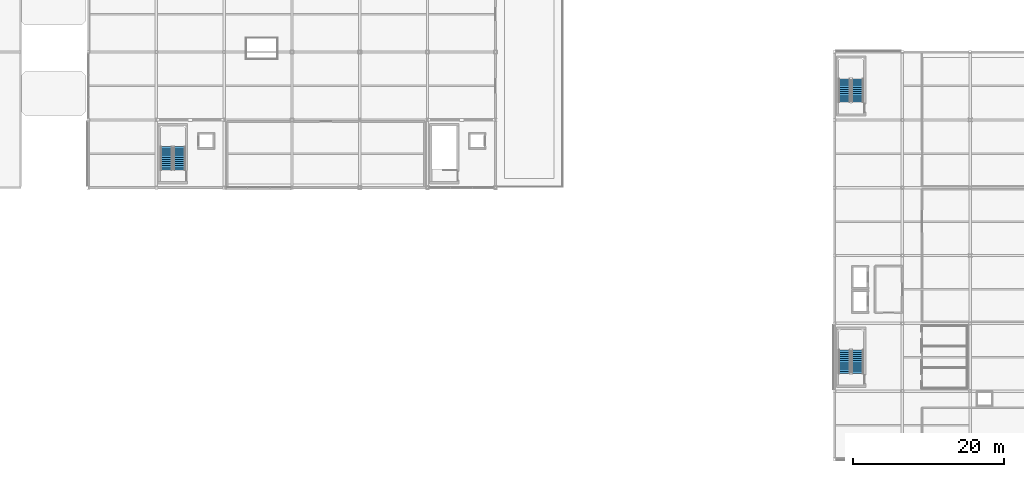
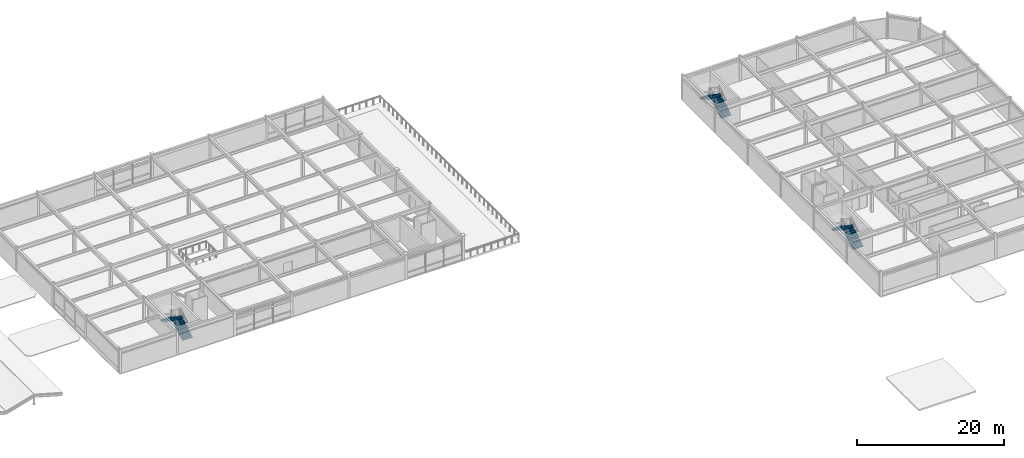
# One storey, part 33 of 40: 6 stair flights, 3 elements without a shape of their own.
"""IFC4 building model written with IfcOpenShell, lengths in metres."""

from ifc_helpers import new_model, si_unit, direction, frame, origin, place, context, subcontext, project, spatial, polyline, outline, extrude, material, type_object, element, aggregate, save


model = new_model("IFC4")

# Units and contexts
model_context = context("Model", 3, precision=1e-05, world=origin(), true_north=direction((0.0, 1.0)))
body_context = subcontext(model_context, "Body", "Model", "MODEL_VIEW")
ifc_project = project(units=[si_unit("LENGTHUNIT", "METRE"), si_unit("AREAUNIT", "SQUARE_METRE"), si_unit("VOLUMEUNIT", "CUBIC_METRE"), si_unit("PLANEANGLEUNIT", "RADIAN"), si_unit("MASSUNIT", "GRAM", prefix="KILO")], contexts=[model_context])

# Site, building, storey
site_placement = place(None, origin())
site = spatial("IfcSite", under=ifc_project, at=site_placement, CompositionType="ELEMENT")
building_placement = place(site_placement, origin())
building = spatial("IfcBuilding", under=site, at=building_placement, Name="Suzunagisa Mobility Hub", CompositionType="ELEMENT")
storey_placement = place(building_placement, frame((0.0, 0.0, 21.89990234375)))
storey = spatial("IfcBuildingStorey", under=building, at=storey_placement, Name="L05", CompositionType="ELEMENT", Elevation=21.89990234375)

# Stair, stair flights
ifc_material = material(Name="Concrete C35/45", Category="concrete")
stair_type_1 = type_object("IfcStairType", Name="Dog-Leg Core Escape Stair ST-07 W1560", PredefinedType="HALF_TURN_STAIR", material=ifc_material)
stair_1_placement = place(storey_placement, origin())
stair_1 = element("IfcStair", 1, at=stair_1_placement, inside=storey, type_object=stair_type_1, Name="L05 Core C3 Escape Stair ST-07", PredefinedType="HALF_TURN_STAIR")
stair_flight_type_1 = type_object("IfcStairFlightType", Name="Dog-Leg Core Stair Flight ST-07-F W1560", PredefinedType="STRAIGHT", material=ifc_material)
stair_flight_1_placement = place(storey_placement, frame((57.06005859375, 82.360107421875, 0.0), z_axis=(0.0, 0.0, 1.0), x_axis=(0.0, 1.0, 0.0)))
stair_flight_1 = element("IfcStairFlight", 2, at=stair_flight_1_placement, type_object=stair_flight_type_1, Name="ST-07 flight 1", NumberOfRisers=12, NumberOfTreads=11, PredefinedType="STRAIGHT", RiserHeight=0.175, TreadLength=0.28, context=body_context, shape_type="SweptSolid", body=[
    extrude(outline(polyline([(0.0, 0.0), (0.0, 0.175048828125), (0.280029296875, 0.175048828125), (0.280029296875, 0.35009765625), (0.56005859375, 0.35009765625), (0.56005859375, 0.52490234375), (0.840087890625, 0.52490234375), (0.840087890625, 0.699951171875), (1.1201171875, 0.699951171875), (1.1201171875, 0.875), (1.39990234375, 0.875), (1.39990234375, 1.050048828125), (1.679931640625, 1.050048828125), (1.679931640625, 1.22509765625), (1.9599609375, 1.22509765625), (1.9599609375, 1.39990234375), (2.239990234375, 1.39990234375), (2.239990234375, 1.574951171875), (2.52001953125, 1.574951171875), (2.52001953125, 1.75), (2.800048828125, 1.75), (2.800048828125, 1.925048828125), (3.080078125, 1.925048828125), (3.080078125, 2.10009765625), (3.080078125, 1.736328125), (0.3017578125, 0.0), (0.0, 0.0)])), frame((0.0, 0.780029296875, 0.0), z_axis=(0.0, -1.0, 0.0), x_axis=(1.0, 0.0, 0.0)), (0.0, 0.0, 1.0), 1.56005859375),
])
stair_flight_2_placement = place(storey_placement, frame((55.340087890625, 85.43994140625, 2.10009765625), z_axis=(0.0, 0.0, 1.0), x_axis=(0.0, -1.0, 0.0)))
stair_flight_2 = element("IfcStairFlight", 3, at=stair_flight_2_placement, type_object=stair_flight_type_1, Name="ST-07 flight 2", NumberOfRisers=12, NumberOfTreads=11, PredefinedType="STRAIGHT", RiserHeight=0.175, TreadLength=0.28, context=body_context, shape_type="SweptSolid", body=[
    extrude(outline(polyline([(0.0, 0.0), (0.0, 0.175048828125), (0.280029296875, 0.175048828125), (0.280029296875, 0.35009765625), (0.56005859375, 0.35009765625), (0.56005859375, 0.52490234375), (0.840087890625, 0.52490234375), (0.840087890625, 0.699951171875), (1.1201171875, 0.699951171875), (1.1201171875, 0.875), (1.39990234375, 0.875), (1.39990234375, 1.050048828125), (1.679931640625, 1.050048828125), (1.679931640625, 1.22509765625), (1.9599609375, 1.22509765625), (1.9599609375, 1.39990234375), (2.239990234375, 1.39990234375), (2.239990234375, 1.574951171875), (2.52001953125, 1.574951171875), (2.52001953125, 1.75), (2.800048828125, 1.75), (2.800048828125, 1.925048828125), (3.080078125, 1.925048828125), (3.080078125, 2.10009765625), (3.080078125, 1.736328125), (0.3017578125, 0.0), (0.0, 0.0)])), frame((0.0, 0.780029296875, 0.0), z_axis=(0.0, -1.0, 0.0), x_axis=(1.0, 0.0, 0.0)), (0.0, 0.0, 1.0), 1.56005859375),
])
aggregate(stair_1, [stair_flight_1, stair_flight_2])

stair_type_2 = type_object("IfcStairType", Name="Dog-Leg Core Escape Stair ST-11 W1560", PredefinedType="HALF_TURN_STAIR", material=ifc_material)
stair_2_placement = place(storey_placement, origin())
stair_2 = element("IfcStair", 4, at=stair_2_placement, inside=storey, type_object=stair_type_2, Name="L05 Core C5 Escape Stair ST-11", PredefinedType="HALF_TURN_STAIR")
stair_flight_type_2 = type_object("IfcStairFlightType", Name="Dog-Leg Core Stair Flight ST-11-F W1560", PredefinedType="STRAIGHT", material=ifc_material)
stair_flight_3_placement = place(storey_placement, frame((147.06005859375, 55.360107421875, 0.0), z_axis=(0.0, 0.0, 1.0), x_axis=(0.0, 1.0, 0.0)))
stair_flight_3 = element("IfcStairFlight", 5, at=stair_flight_3_placement, type_object=stair_flight_type_2, Name="ST-11 flight 1", NumberOfRisers=12, NumberOfTreads=11, PredefinedType="STRAIGHT", RiserHeight=0.175, TreadLength=0.28, context=body_context, shape_type="SweptSolid", body=[
    extrude(outline(polyline([(0.0, 0.0), (0.0, 0.175048828125), (0.280029296875, 0.175048828125), (0.280029296875, 0.35009765625), (0.56005859375, 0.35009765625), (0.56005859375, 0.52490234375), (0.840087890625, 0.52490234375), (0.840087890625, 0.699951171875), (1.1201171875, 0.699951171875), (1.1201171875, 0.875), (1.39990234375, 0.875), (1.39990234375, 1.050048828125), (1.679931640625, 1.050048828125), (1.679931640625, 1.22509765625), (1.9599609375, 1.22509765625), (1.9599609375, 1.39990234375), (2.239990234375, 1.39990234375), (2.239990234375, 1.574951171875), (2.52001953125, 1.574951171875), (2.52001953125, 1.75), (2.800048828125, 1.75), (2.800048828125, 1.925048828125), (3.080078125, 1.925048828125), (3.080078125, 2.10009765625), (3.080078125, 1.736328125), (0.3017578125, 0.0), (0.0, 0.0)])), frame((0.0, 0.780029296875, 0.0), z_axis=(0.0, -1.0, 0.0), x_axis=(1.0, 0.0, 0.0)), (0.0, 0.0, 1.0), 1.56005859375),
])
stair_flight_4_placement = place(storey_placement, frame((145.340087890625, 58.43994140625, 2.10009765625), z_axis=(0.0, 0.0, 1.0), x_axis=(0.0, -1.0, 0.0)))
stair_flight_4 = element("IfcStairFlight", 6, at=stair_flight_4_placement, type_object=stair_flight_type_2, Name="ST-11 flight 2", NumberOfRisers=12, NumberOfTreads=11, PredefinedType="STRAIGHT", RiserHeight=0.175, TreadLength=0.28, context=body_context, shape_type="SweptSolid", body=[
    extrude(outline(polyline([(0.0, 0.0), (0.0, 0.175048828125), (0.280029296875, 0.175048828125), (0.280029296875, 0.35009765625), (0.56005859375, 0.35009765625), (0.56005859375, 0.52490234375), (0.840087890625, 0.52490234375), (0.840087890625, 0.699951171875), (1.1201171875, 0.699951171875), (1.1201171875, 0.875), (1.39990234375, 0.875), (1.39990234375, 1.050048828125), (1.679931640625, 1.050048828125), (1.679931640625, 1.22509765625), (1.9599609375, 1.22509765625), (1.9599609375, 1.39990234375), (2.239990234375, 1.39990234375), (2.239990234375, 1.574951171875), (2.52001953125, 1.574951171875), (2.52001953125, 1.75), (2.800048828125, 1.75), (2.800048828125, 1.925048828125), (3.080078125, 1.925048828125), (3.080078125, 2.10009765625), (3.080078125, 1.736328125), (0.3017578125, 0.0), (0.0, 0.0)])), frame((0.0, 0.780029296875, 0.0), z_axis=(0.0, -1.0, 0.0), x_axis=(1.0, 0.0, 0.0)), (0.0, 0.0, 1.0), 1.56005859375),
])
aggregate(stair_2, [stair_flight_3, stair_flight_4])

stair_type_3 = type_object("IfcStairType", Name="Dog-Leg Core Escape Stair ST-12 W1560", PredefinedType="HALF_TURN_STAIR", material=ifc_material)
stair_3_placement = place(storey_placement, origin())
stair_3 = element("IfcStair", 7, at=stair_3_placement, inside=storey, type_object=stair_type_3, Name="L05 Core C5B Escape Stair ST-12", PredefinedType="HALF_TURN_STAIR")
stair_flight_type_3 = type_object("IfcStairFlightType", Name="Dog-Leg Core Stair Flight ST-12-F W1560", PredefinedType="STRAIGHT", material=ifc_material)
stair_flight_5_placement = place(storey_placement, frame((147.06005859375, 91.360107421875, 0.0), z_axis=(0.0, 0.0, 1.0), x_axis=(0.0, 1.0, 0.0)))
stair_flight_5 = element("IfcStairFlight", 8, at=stair_flight_5_placement, type_object=stair_flight_type_3, Name="ST-12 flight 1", NumberOfRisers=12, NumberOfTreads=11, PredefinedType="STRAIGHT", RiserHeight=0.175, TreadLength=0.28, context=body_context, shape_type="SweptSolid", body=[
    extrude(outline(polyline([(0.0, 0.0), (0.0, 0.175048828125), (0.280029296875, 0.175048828125), (0.280029296875, 0.35009765625), (0.56005859375, 0.35009765625), (0.56005859375, 0.52490234375), (0.840087890625, 0.52490234375), (0.840087890625, 0.699951171875), (1.1201171875, 0.699951171875), (1.1201171875, 0.875), (1.39990234375, 0.875), (1.39990234375, 1.050048828125), (1.679931640625, 1.050048828125), (1.679931640625, 1.22509765625), (1.9599609375, 1.22509765625), (1.9599609375, 1.39990234375), (2.239990234375, 1.39990234375), (2.239990234375, 1.574951171875), (2.52001953125, 1.574951171875), (2.52001953125, 1.75), (2.800048828125, 1.75), (2.800048828125, 1.925048828125), (3.080078125, 1.925048828125), (3.080078125, 2.10009765625), (3.080078125, 1.736328125), (0.3017578125, 0.0), (0.0, 0.0)])), frame((0.0, 0.780029296875, 0.0), z_axis=(0.0, -1.0, 0.0), x_axis=(1.0, 0.0, 0.0)), (0.0, 0.0, 1.0), 1.56005859375),
])
stair_flight_6_placement = place(storey_placement, frame((145.340087890625, 94.43994140625, 2.10009765625), z_axis=(0.0, 0.0, 1.0), x_axis=(0.0, -1.0, 0.0)))
stair_flight_6 = element("IfcStairFlight", 9, at=stair_flight_6_placement, type_object=stair_flight_type_3, Name="ST-12 flight 2", NumberOfRisers=12, NumberOfTreads=11, PredefinedType="STRAIGHT", RiserHeight=0.175, TreadLength=0.28, context=body_context, shape_type="SweptSolid", body=[
    extrude(outline(polyline([(0.0, 0.0), (0.0, 0.175048828125), (0.280029296875, 0.175048828125), (0.280029296875, 0.35009765625), (0.56005859375, 0.35009765625), (0.56005859375, 0.52490234375), (0.840087890625, 0.52490234375), (0.840087890625, 0.699951171875), (1.1201171875, 0.699951171875), (1.1201171875, 0.875), (1.39990234375, 0.875), (1.39990234375, 1.050048828125), (1.679931640625, 1.050048828125), (1.679931640625, 1.22509765625), (1.9599609375, 1.22509765625), (1.9599609375, 1.39990234375), (2.239990234375, 1.39990234375), (2.239990234375, 1.574951171875), (2.52001953125, 1.574951171875), (2.52001953125, 1.75), (2.800048828125, 1.75), (2.800048828125, 1.925048828125), (3.080078125, 1.925048828125), (3.080078125, 2.10009765625), (3.080078125, 1.736328125), (0.3017578125, 0.0), (0.0, 0.0)])), frame((0.0, 0.780029296875, 0.0), z_axis=(0.0, -1.0, 0.0), x_axis=(1.0, 0.0, 0.0)), (0.0, 0.0, 1.0), 1.56005859375),
])
aggregate(stair_3, [stair_flight_5, stair_flight_6])

save(model, "model.ifc")
